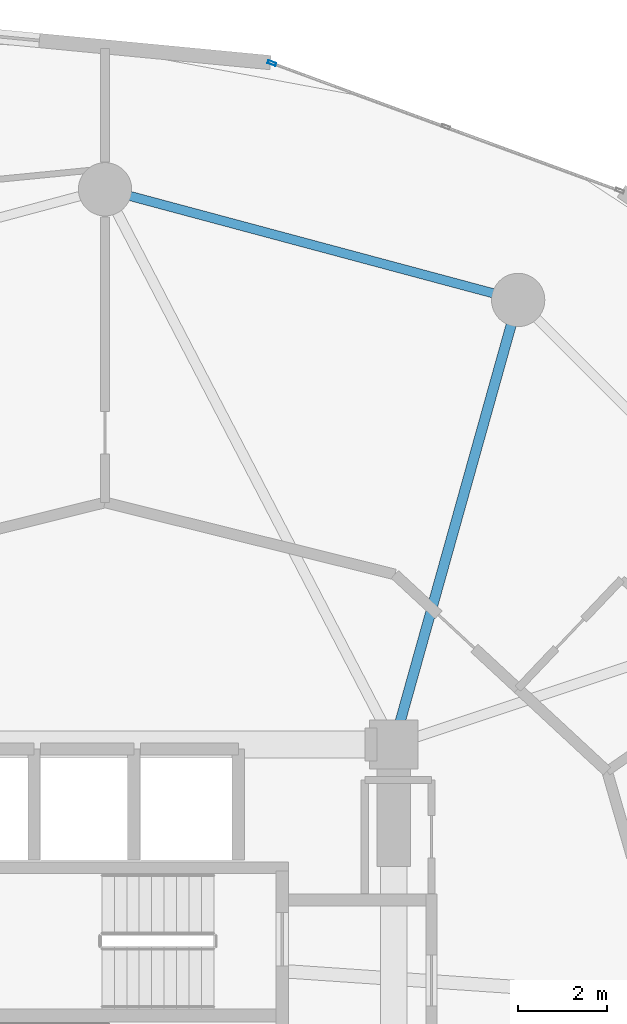
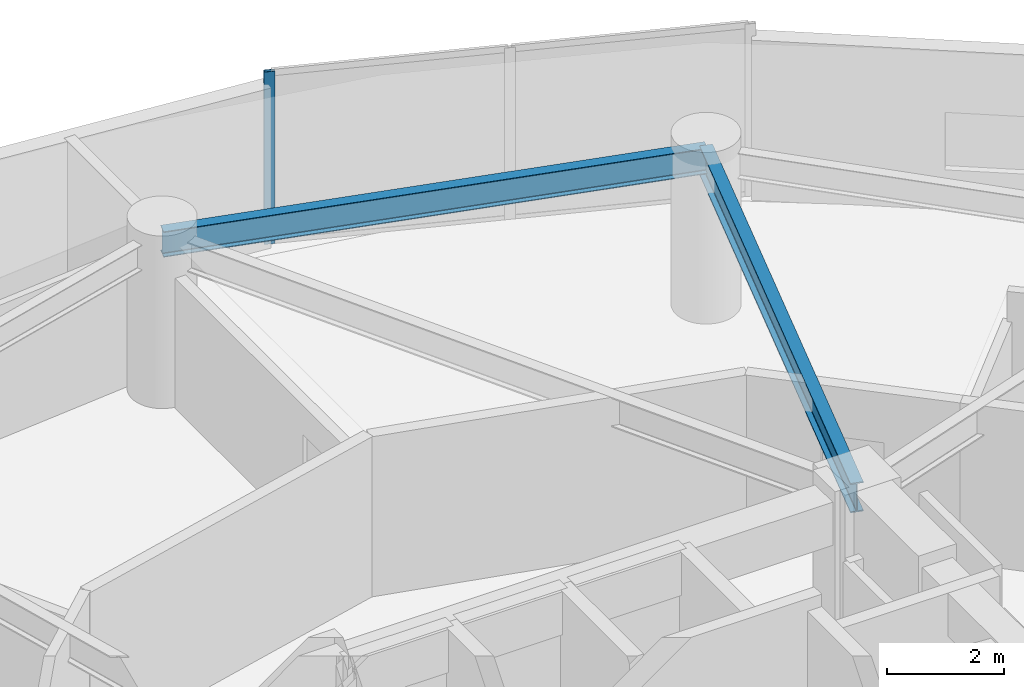
# One storey, part 14 of 22: 2 beams, 1 member, 1 element without a shape of its own.
"""IFC4 building model written with IfcOpenShell, lengths in metres."""

from ifc_helpers import new_model, si_unit, direction, frame, origin, origin_2d, place, context, subcontext, project, spatial, hollow_rectangle, i_section, extrude, source, transform, mapped, material, layer, layer_set, material_profile, profile_set, type_object, element, aggregate, save


model = new_model("IFC4")

# Units and contexts
model_context = context("Model", 3, precision=1e-05, world=origin(), true_north=direction((0.0, 1.0)))
body_context = subcontext(model_context, "Body", "Model", "MODEL_VIEW")
ifc_project = project(units=[si_unit("LENGTHUNIT", "METRE"), si_unit("AREAUNIT", "SQUARE_METRE"), si_unit("VOLUMEUNIT", "CUBIC_METRE"), si_unit("PLANEANGLEUNIT", "RADIAN"), si_unit("MASSUNIT", "GRAM", prefix="KILO")], contexts=[model_context])

# Site, building, storey
site_placement = place(None, origin())
site = spatial("IfcSite", under=ifc_project, at=site_placement, CompositionType="ELEMENT")
building_placement = place(site_placement, origin())
building = spatial("IfcBuilding", under=site, at=building_placement, Name="Solvirekh Grand Hotel", CompositionType="ELEMENT")
storey_placement = place(building_placement, frame((0.0, 0.0, 53.60009765625)))
storey = spatial("IfcBuildingStorey", under=building, at=storey_placement, Name="L12", CompositionType="ELEMENT", Elevation=53.60009765625)

# Beams
ifc_material_1 = material(Name="Steel S355", Category="steel")
ifc_material_profile_1 = material_profile(ifc_material_1, i_section(OverallWidth=0.22998046875, OverallDepth=0.615966796875, WebThickness=0.013916015625, FlangeThickness=0.02392578125, FilletRadius=0.014892578125, at=origin_2d()), Name="W610X174")
ifc_profile_set_1 = profile_set([ifc_material_profile_1], Name="Steel S355")
beam_type_1 = type_object("IfcBeamType", Name="Beam_Primary_W610H", PredefinedType="BEAM", material=ifc_profile_set_1)
beam_1_placement = place(storey_placement, frame((6.5, 6.10009765625, 3.031982421875), z_axis=(0.269439084681, 0.963017434757, 0.0), x_axis=(-0.963017434757, 0.269439084681, 0.0)))
element("IfcBeam", 1, at=beam_1_placement, inside=storey, type_object=beam_type_1, Name="L12 radial floor beam R03", PredefinedType="BEAM", context=body_context, shape_type="SweptSolid", body=[
    extrude(i_section(OverallWidth=0.22998046875, OverallDepth=0.615966796875, WebThickness=0.013916015625, FlangeThickness=0.02392578125, FilletRadius=0.014892578125, at=origin_2d()), origin(), (0.0, 0.0, 1.0), 10.39208984375),
])
ifc_material_profile_2 = material_profile(ifc_material_1, i_section(OverallWidth=0.208984375, OverallDepth=0.532958984375, WebThickness=0.010009765625, FlangeThickness=0.014892578125, FilletRadius=0.013916015625, at=origin_2d()), Name="W530X92")
ifc_profile_set_2 = profile_set([ifc_material_profile_2], Name="Steel S355")
beam_type_2 = type_object("IfcBeamType", Name="Spandrel_Ring_W530", PredefinedType="SPANDREL", material=ifc_profile_set_2)
beam_2_placement = place(storey_placement, frame((9.300048828125, 16.10791015625, 3.072998046875), z_axis=(-0.965919414426, 0.258842973314, 0.0), x_axis=(-0.258842973314, -0.965919414426, 0.0)))
element("IfcBeam", 2, at=beam_2_placement, inside=storey, type_object=beam_type_2, Name="L12 perimeter spandrel beam 3", PredefinedType="SPANDREL", context=body_context, shape_type="SweptSolid", body=[
    extrude(i_section(OverallWidth=0.208984375, OverallDepth=0.532958984375, WebThickness=0.010009765625, FlangeThickness=0.014892578125, FilletRadius=0.013916015625, at=origin_2d()), origin(), (0.0, 0.0, 1.0), 9.628173828125),
])

# Curtain wall, member
ifc_material_2 = material(Name="Anodized Bronze Aluminium 6063-T6", Category="aluminium")
ifc_layer = layer(ifc_material_2, 0.18994140625)
ifc_layer_set = layer_set([ifc_layer], Name="Anodized Bronze Aluminium 6063-T6")
curtain_wall_type = type_object("IfcCurtainWallType", Name="CW_Sys2_LowZoneFlushBronzeCW", PredefinedType="NOTDEFINED", material=ifc_layer_set)
curtain_wall_placement = place(storey_placement, origin())
curtain_wall = element("IfcCurtainWall", 3, at=curtain_wall_placement, inside=storey, type_object=curtain_wall_type, Name="L12 unitised bronze-glass curtain wall CW-L12-C05", PredefinedType="NOTDEFINED")
ifc_material_profile_3 = material_profile(ifc_material_2, hollow_rectangle(XDim=0.070068359375, YDim=0.18994140625, WallThickness=0.0048828125, at=origin_2d()), Name="ALU RHS 190X70X5")
ifc_profile_set_3 = profile_set([ifc_material_profile_3], Name="Anodized Bronze Aluminium 6063-T6")
member_type = type_object("IfcMemberType", Name="CWMullion_Sys2", PredefinedType="MULLION", material=ifc_profile_set_3)
shared_shape = source(origin(), body_context, "Body", "SweptSolid", [
    extrude(hollow_rectangle(XDim=0.070068359375, YDim=0.18994140625, WallThickness=0.0048828125, at=origin_2d()), origin(), (0.0, 0.0, 1.0), 3.599853515625),
])
member_placement = place(storey_placement, frame((3.7568359375, 21.44091796875, 0.0), z_axis=(0.0, 0.0, 1.0), x_axis=(-0.344471181781, -0.938796892263, 0.0)))
member = element("IfcMember", 4, at=member_placement, type_object=member_type, Name="U02 mullion 3", PredefinedType="MULLION", context=body_context, shape_type="MappedRepresentation", body=[
    mapped(shared_shape, transform((0.0, 0.0, 0.0), x_axis=(1.0, 0.0, 0.0), y_axis=(0.0, 1.0, 0.0), z_axis=(0.0, 0.0, 1.0), scale=1.0)),
])
aggregate(curtain_wall, [member])

save(model, "model.ifc")
